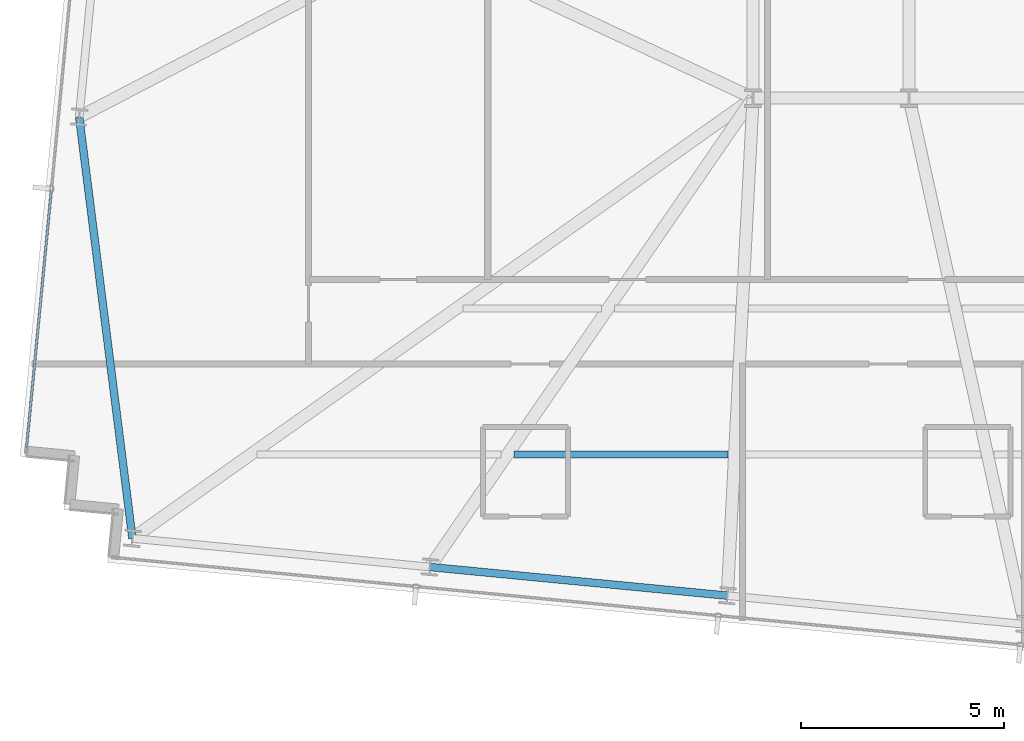
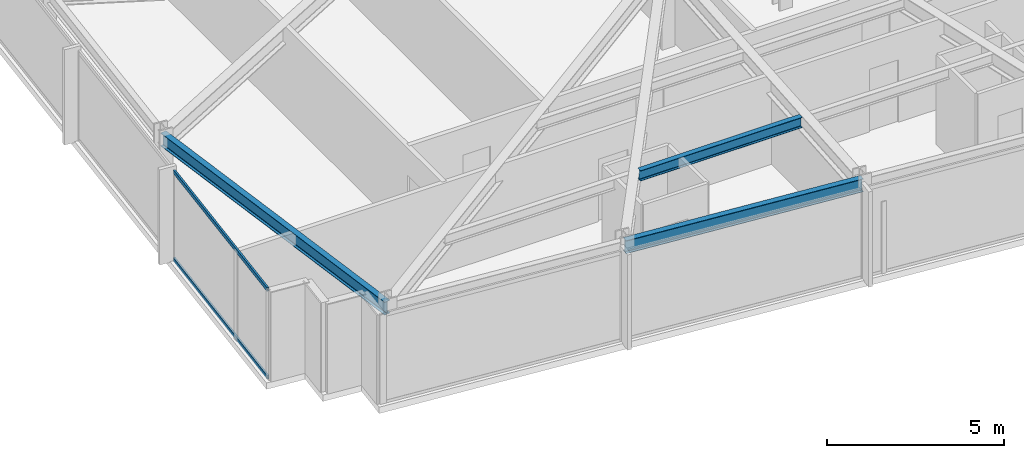
# One storey, part 3 of 36: 3 beams, 2 members, 1 element without a shape of its own.
"""IFC4 building model written with IfcOpenShell, lengths in metres."""

from ifc_helpers import new_model, si_unit, direction, frame, origin, origin_2d, place, context, subcontext, project, spatial, hollow_rectangle, i_section, extrude, material, material_profile, profile_set, type_object, element, aggregate, save


model = new_model("IFC4")

# Units and contexts
model_context = context("Model", 3, precision=1e-05, world=origin(), true_north=direction((0.0, 1.0)))
body_context = subcontext(model_context, "Body", "Model", "MODEL_VIEW")
ifc_project = project(units=[si_unit("LENGTHUNIT", "METRE"), si_unit("AREAUNIT", "SQUARE_METRE"), si_unit("VOLUMEUNIT", "CUBIC_METRE"), si_unit("PLANEANGLEUNIT", "RADIAN"), si_unit("MASSUNIT", "GRAM", prefix="KILO")], contexts=[model_context])

# Site, building, storey
site_placement = place(None, origin())
site = spatial("IfcSite", under=ifc_project, at=site_placement, CompositionType="ELEMENT")
building_placement = place(site_placement, origin())
building = spatial("IfcBuilding", under=site, at=building_placement, Name="Yelkora Congress Tower", CompositionType="ELEMENT")
storey_placement = place(building_placement, frame((0.0, 0.0, 152.300048828125)))
storey = spatial("IfcBuildingStorey", under=building, at=storey_placement, Name="L41", CompositionType="ELEMENT", Elevation=152.300048828125)

# Beams
ifc_material_1 = material(Name="Steel S355J2", Category="steel")
ifc_material_profile_1 = material_profile(ifc_material_1, i_section(OverallWidth=0.169921875, OverallDepth=0.360107421875, WebThickness=0.008056640625, FlangeThickness=0.0126953125, FilletRadius=0.01806640625, at=origin_2d()), Name="IPE 360")
ifc_profile_set_1 = profile_set([ifc_material_profile_1], Name="Steel S355J2")
beam_type_1 = type_object("IfcBeamType", Name="BM-JOIST-IPE360", PredefinedType="JOIST", material=ifc_profile_set_1)
beam_1_placement = place(storey_placement, frame((13.310546875, 16.421142578125, 2.89990234375), z_axis=(1.0, 0.0, 0.0), x_axis=(0.0, 1.0, 0.0)))
element("IfcBeam", 1, at=beam_1_placement, inside=storey, type_object=beam_type_1, Name="L41 Composite Floor Joist 6", PredefinedType="JOIST", context=body_context, shape_type="SweptSolid", body=[
    extrude(i_section(OverallWidth=0.169921875, OverallDepth=0.360107421875, WebThickness=0.008056640625, FlangeThickness=0.0126953125, FilletRadius=0.01806640625, at=origin_2d()), origin(), (0.0, 0.0, 1.0), 5.275146484375),
])
ifc_material_profile_2 = material_profile(ifc_material_1, i_section(OverallWidth=0.18994140625, OverallDepth=0.449951171875, WebThickness=0.009521484375, FlangeThickness=0.0146484375, FilletRadius=0.02099609375, at=origin_2d()), Name="IPE 450")
ifc_profile_set_2 = profile_set([ifc_material_profile_2], Name="Steel S355J2")
beam_type_2 = type_object("IfcBeamType", Name="BM-SPAN-IPE450", PredefinedType="SPANDREL", material=ifc_profile_set_2)
beam_2_placement = place(storey_placement, frame((2.607421875, 24.730712890625, 2.85498046875), z_axis=(0.125457133578, -0.992099041243, 0.0), x_axis=(0.992099041243, 0.125457133578, 0.0)))
element("IfcBeam", 2, at=beam_2_placement, inside=storey, type_object=beam_type_2, Name="L41 Perimeter Beam 1", PredefinedType="SPANDREL", context=body_context, shape_type="SweptSolid", body=[
    extrude(i_section(OverallWidth=0.18994140625, OverallDepth=0.449951171875, WebThickness=0.009521484375, FlangeThickness=0.0146484375, FilletRadius=0.02099609375, at=origin_2d()), origin(), (0.0, 0.0, 1.0), 10.455810546875),
])
beam_3_placement = place(storey_placement, frame((11.242431640625, 13.652099609375, 2.85498046875), z_axis=(0.995397409467, -0.095833173935, 0.0), x_axis=(0.095833173935, 0.995397409467, 0.0)))
element("IfcBeam", 3, at=beam_3_placement, inside=storey, type_object=beam_type_2, Name="L41 Perimeter Beam 3", PredefinedType="SPANDREL", context=body_context, shape_type="SweptSolid", body=[
    extrude(i_section(OverallWidth=0.18994140625, OverallDepth=0.449951171875, WebThickness=0.009521484375, FlangeThickness=0.0146484375, FilletRadius=0.02099609375, at=origin_2d()), origin(), (0.0, 0.0, 1.0), 7.357421875),
])

# Curtain wall, members
ifc_material_2 = material(Name="Anodised aluminium and insulated glass", Category="aluminium")
curtain_wall_type = type_object("IfcCurtainWallType", Name="CW-SYS-B3", PredefinedType="NOTDEFINED", material=ifc_material_2)
curtain_wall_placement = place(storey_placement, origin())
curtain_wall = element("IfcCurtainWall", 4, at=curtain_wall_placement, inside=storey, type_object=curtain_wall_type, Name="L41 Unitised Curtain Wall 5", PredefinedType="NOTDEFINED")
ifc_material_3 = material(Name="Anodised aluminium 6063-T6", Category="aluminium")
ifc_material_profile_3 = material_profile(ifc_material_3, hollow_rectangle(XDim=0.06005859375, YDim=0.1298828125, WallThickness=0.00390625, at=origin_2d()), Name="ALU 60x130x4")
ifc_profile_set_3 = profile_set([ifc_material_profile_3], Name="Anodised aluminium 6063-T6")
member_type = type_object("IfcMemberType", Name="MEM-TR-B3", PredefinedType="USERDEFINED", material=ifc_profile_set_3)
member_1_placement = place(storey_placement, frame((1.31005859375, 16.57763671875, 0.030029296875), z_axis=(0.095834923543, 0.99539724102, 0.0), x_axis=(-0.99539724102, 0.095834923543, 0.0)))
member_1 = element("IfcMember", 5, at=member_1_placement, type_object=member_type, Name="CW-B3 transom 1.1", ObjectType="TRANSOM", PredefinedType="USERDEFINED", context=body_context, shape_type="SweptSolid", body=[
    extrude(hollow_rectangle(XDim=0.06005859375, YDim=0.1298828125, WallThickness=0.00390625, at=origin_2d()), origin(), (0.0, 0.0, 1.0), 6.37890625),
])
member_2_placement = place(storey_placement, frame((1.31005859375, 16.57763671875, 3.050048828125), z_axis=(0.095834923543, 0.99539724102, 0.0), x_axis=(-0.99539724102, 0.095834923543, 0.0)))
member_2 = element("IfcMember", 6, at=member_2_placement, type_object=member_type, Name="CW-B3 transom 1.2", ObjectType="TRANSOM", PredefinedType="USERDEFINED", context=body_context, shape_type="SweptSolid", body=[
    extrude(hollow_rectangle(XDim=0.06005859375, YDim=0.1298828125, WallThickness=0.00390625, at=origin_2d()), origin(), (0.0, 0.0, 1.0), 6.37890625),
])
aggregate(curtain_wall, [member_1, member_2])

save(model, "model.ifc")
